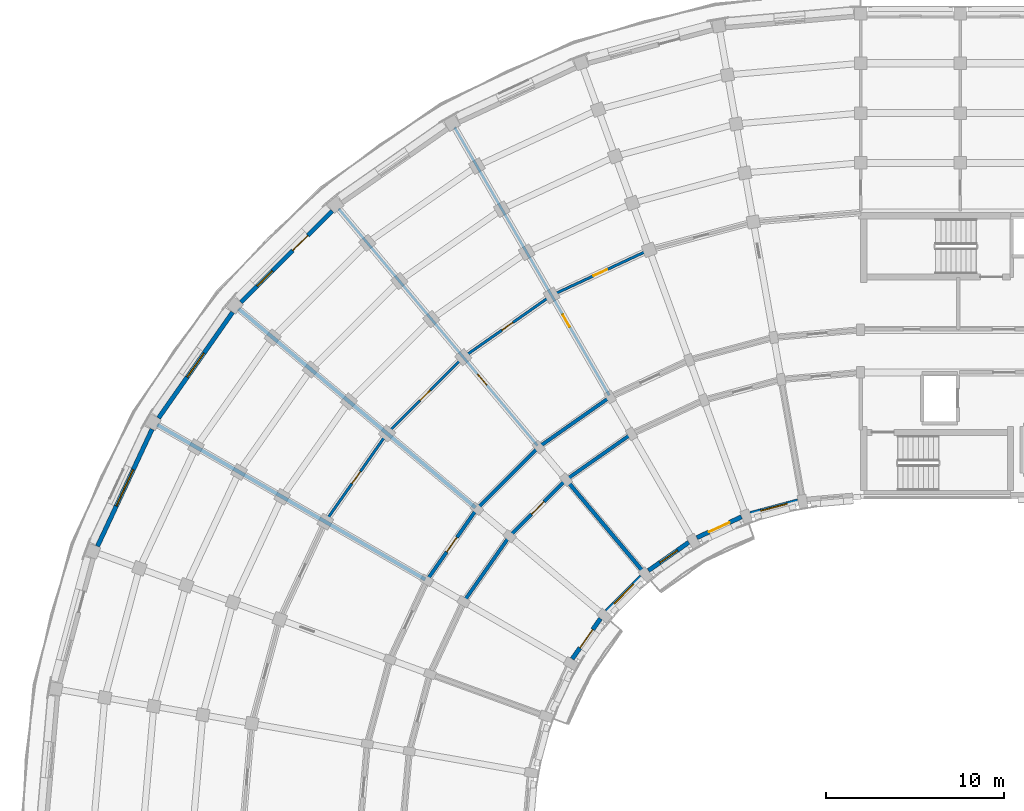
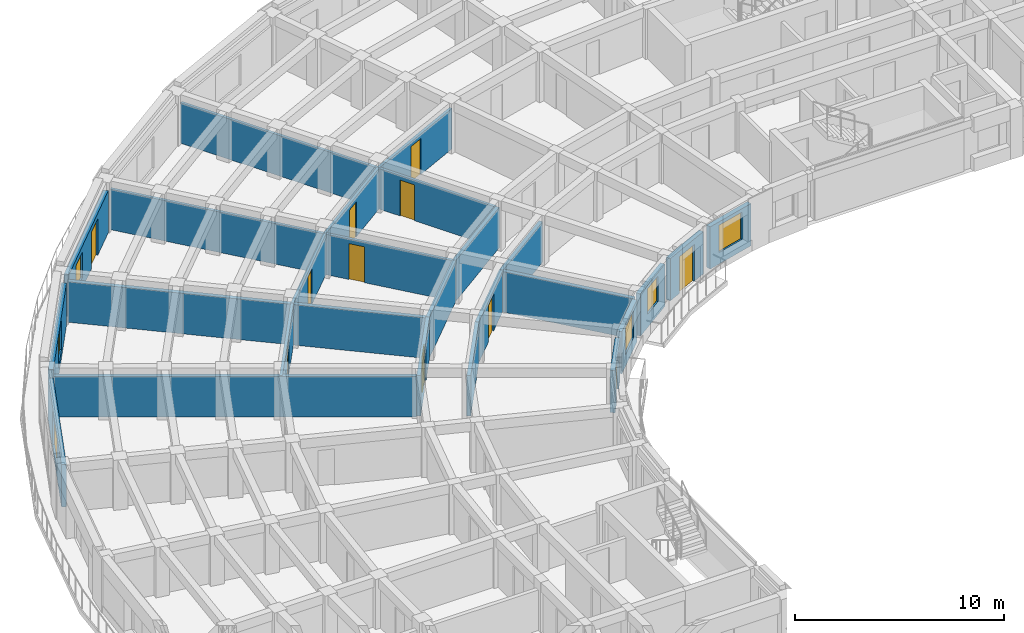
# One storey, part 25 of 54: 23 walls, 11 doors, 6 windows, 17 openings.
"""IFC4 building model written with IfcOpenShell, lengths in metres."""

import ifcopenshell
import ifcopenshell.guid

model = None  # the IFC model being written
_history = None  # IfcOwnerHistory: only IFC2X3 demands one
_inside = {}  # id of a spatial element -> (the spatial element, [elements in it])
_under = {}  # id of a project, library or spatial element -> (it, [spatial elements below it])
_declared = {}  # id of a project -> (the project, [libraries it declares])
_typed = {}  # id of a type object -> (the type object, [elements of that type])
_made_of = {}  # id of a material, layer set ... -> (it, [elements and type objects made of it])


def new_model(schema):
    """Start an empty IFC model of exactly this schema.

    Asked for "IFC4X3", IfcOpenShell would pick the latest addendum, in which some entities
    have other attributes; the version numbers below select the first issue.
    IFC2X3 requires an IfcOwnerHistory on every rooted entity: one is made here for all.
    """
    global model, _history
    if schema == "IFC4X3":
        model = ifcopenshell.file(schema_version=(4, 3, 0, 0))
    else:
        model = ifcopenshell.file(schema=schema)
    _inside.clear()
    _under.clear()
    _declared.clear()
    _typed.clear()
    _made_of.clear()
    _history = None
    if model.schema == "IFC2X3":
        org = make("IfcOrganization", Name="unknown")
        user = make(
            "IfcPersonAndOrganization",
            ThePerson=make("IfcPerson", FamilyName="unknown"),
            TheOrganization=org,
        )
        app = make(
            "IfcApplication",
            ApplicationDeveloper=org,
            Version="unknown",
            ApplicationFullName="unknown",
            ApplicationIdentifier="unknown",
        )
        _history = make(
            "IfcOwnerHistory",
            OwningUser=user,
            OwningApplication=app,
            ChangeAction="ADDED",
            CreationDate=0,
        )
    return model


def make(cls, **values):
    """One entity of the class cls with the attributes given. An attribute that is None is left unset."""
    return model.create_entity(
        cls, **{name: value for name, value in values.items() if value is not None}
    )


def rooted(cls, **values):
    """An entity with a GlobalId (a new one), such as an element, a storey or a relation."""
    return make(cls, GlobalId=ifcopenshell.guid.new(), OwnerHistory=_history, **values)


def si_unit(unit_type, name, prefix=None):
    """IfcSIUnit, for example si_unit("LENGTHUNIT", "METRE", prefix="MILLI")."""
    return make("IfcSIUnit", UnitType=unit_type, Prefix=prefix, Name=name)


def assignment(units):
    """IfcUnitAssignment: the units of a project."""
    return None if units is None else make("IfcUnitAssignment", Units=units)


def point(xyz):
    """IfcCartesianPoint."""
    return None if xyz is None else make("IfcCartesianPoint", Coordinates=xyz)


def direction(xyz):
    """IfcDirection."""
    return None if xyz is None else make("IfcDirection", DirectionRatios=xyz)


def frame(location, z_axis=None, x_axis=None):
    """IfcAxis2Placement3D, a coordinate frame: its origin and axes. An axis left out is left unset."""
    return make(
        "IfcAxis2Placement3D",
        Location=point(location),
        Axis=direction(z_axis),
        RefDirection=direction(x_axis),
    )


def frame_2d(location, x_axis=None):
    """IfcAxis2Placement2D, a coordinate frame in the plane: its origin and x axis."""
    return make(
        "IfcAxis2Placement2D", Location=point(location), RefDirection=direction(x_axis)
    )


def origin():
    """The frame at (0, 0, 0) with its axes left unset."""
    return frame((0.0, 0.0, 0.0))


def place(relative_to, where):
    """IfcLocalPlacement: puts the frame where relative to a parent placement (None: the world)."""
    return make(
        "IfcLocalPlacement", PlacementRelTo=relative_to, RelativePlacement=where
    )


def context(
    kind, dimensions, precision=None, world=None, true_north=None, identifier=None
):
    """IfcGeometricRepresentationContext, for example the 3D "Model" context."""
    return make(
        "IfcGeometricRepresentationContext",
        ContextIdentifier=identifier,
        ContextType=kind,
        CoordinateSpaceDimension=dimensions,
        Precision=precision,
        WorldCoordinateSystem=world,
        TrueNorth=true_north,
    )


def subcontext(parent, identifier, kind, view, scale=None):
    """IfcGeometricRepresentationSubContext, for example "Body" below "Model"."""
    return make(
        "IfcGeometricRepresentationSubContext",
        ContextIdentifier=identifier,
        ContextType=kind,
        ParentContext=parent,
        TargetScale=scale,
        TargetView=view,
    )


def project(units=None, contexts=None):
    """IfcProject with its units and contexts."""
    return rooted(
        "IfcProject",
        Name="project",
        RepresentationContexts=contexts,
        UnitsInContext=assignment(units),
    )


def spatial(cls, under=None, at=None, **own):
    """A site, building, storey or space (cls), placed at a placement, below another one or the project."""
    s = rooted(cls, ObjectPlacement=at, **own)
    if under is not None:
        _under.setdefault(under.id(), (under, []))[1].append(s)
    return s


def profile(cls, at=None, kind="AREA", **sizes):
    """A parametric profile (cls). Its sizes go by their IFC names, for example OverallWidth=200.0."""
    return make(cls, ProfileType=kind, Position=at, **sizes)


def rectangle(**sizes):
    """IfcRectangleProfileDef."""
    return profile("IfcRectangleProfileDef", **sizes)


def extrude(swept, where, along, depth):
    """IfcExtrudedAreaSolid: the profile swept, set in the frame where, extruded along a direction by depth."""
    return make(
        "IfcExtrudedAreaSolid",
        SweptArea=swept,
        Position=where,
        ExtrudedDirection=direction(along),
        Depth=depth,
    )


def shape(context_of_items, identifier, shape_type, items):
    """IfcShapeRepresentation: the items that make up one representation, for example the "Body"."""
    return make(
        "IfcShapeRepresentation",
        ContextOfItems=context_of_items,
        RepresentationIdentifier=identifier,
        RepresentationType=shape_type,
        Items=items,
    )


def material(Name=None, Category=None):
    """IfcMaterial."""
    return make("IfcMaterial", Name=Name, Category=Category)


def layer(
    of_material, thickness, ventilated=None, Name=None, Category=None, Priority=None
):
    """IfcMaterialLayer: one layer of a wall or slab, of a material (None: an air gap)."""
    return make(
        "IfcMaterialLayer",
        Material=of_material,
        LayerThickness=thickness,
        IsVentilated=ventilated,
        Name=Name,
        Category=Category,
        Priority=Priority,
    )


def layer_set(layers, Name=None):
    """IfcMaterialLayerSet."""
    return make("IfcMaterialLayerSet", MaterialLayers=layers, LayerSetName=Name)


def made_of(thing, what):
    """Note that an element or type object is made of a material, layer set ...; save() writes the relation."""
    if what is not None:
        _made_of.setdefault(what.id(), (what, []))[1].append(thing)
    return thing


def type_object(cls, material=None, **own):
    """A type object (cls), such as IfcWallType, which elements share."""
    return made_of(rooted(cls, **own), material)


def element(
    cls,
    number,
    at=None,
    inside=None,
    cuts=None,
    type_object=None,
    material=None,
    context=None,
    identifier="Body",
    shape_type=None,
    held_by="IfcProductDefinitionShape",
    body=None,
    shapes=None,
    **own,
):
    """One element of the class cls, such as IfcWall. Its Tag is "e" and its number.

    at: its placement. inside: the storey or other place that contains it. cuts: it is an
    opening in that element (IfcRelVoidsElement). A single representation is given by context,
    identifier, shape_type and body (its items); several are given by shapes. held_by: the class
    of the entity that holds the representations. save() writes the other relations.
    """
    e = rooted(cls, Tag="e%d" % number, ObjectPlacement=at, **own)
    if body is not None:
        shapes = [shape(context, identifier, shape_type, body)]
    if shapes is not None:
        e.Representation = make(held_by, Representations=shapes)
    if inside is not None:
        _inside.setdefault(inside.id(), (inside, []))[1].append(e)
    if cuts is not None:
        rooted(
            "IfcRelVoidsElement", RelatingBuildingElement=cuts, RelatedOpeningElement=e
        )
    if type_object is not None:
        _typed.setdefault(type_object.id(), (type_object, []))[1].append(e)
    return made_of(e, material)


def fill(opening, filler):
    """IfcRelFillsElement: the door or window that sits in an opening."""
    return rooted(
        "IfcRelFillsElement",
        RelatingOpeningElement=opening,
        RelatedBuildingElement=filler,
    )


def aggregate(whole, parts):
    """IfcRelAggregates: a whole, such as a stair, and the parts it consists of."""
    return rooted("IfcRelAggregates", RelatingObject=whole, RelatedObjects=parts)


def save(model, path):
    """Write the relations noted so far, then the file.

    IfcRelAggregates (storeys below a building ...), IfcRelContainedInSpatialStructure (elements
    in a storey), IfcRelDefinesByType, IfcRelAssociatesMaterial and IfcRelDeclares: one each for
    every whole, place, type object, material and project.
    """
    for whole, parts in _under.values():
        aggregate(whole, parts)
    for where, things in _inside.values():
        rooted(
            "IfcRelContainedInSpatialStructure",
            RelatedElements=things,
            RelatingStructure=where,
        )
    for kind, things in _typed.values():
        rooted("IfcRelDefinesByType", RelatedObjects=things, RelatingType=kind)
    for what, things in _made_of.values():
        rooted("IfcRelAssociatesMaterial", RelatedObjects=things, RelatingMaterial=what)
    for by, libraries in _declared.values():
        rooted("IfcRelDeclares", RelatingContext=by, RelatedDefinitions=libraries)
    model.write(path)


model = new_model("IFC4")

# Units and contexts
model_context = context("Model", 3, precision=1e-05, world=origin(), true_north=direction((0.0, 1.0)))
body_context = subcontext(model_context, "Body", "Model", "MODEL_VIEW")
ifc_project = project(units=[si_unit("LENGTHUNIT", "METRE"), si_unit("AREAUNIT", "SQUARE_METRE"), si_unit("VOLUMEUNIT", "CUBIC_METRE"), si_unit("PLANEANGLEUNIT", "RADIAN"), si_unit("MASSUNIT", "GRAM", prefix="KILO")], contexts=[model_context])

# Site, building, storey
site_placement = place(None, origin())
site = spatial("IfcSite", under=ifc_project, at=site_placement, CompositionType="ELEMENT")
building_placement = place(site_placement, origin())
building = spatial("IfcBuilding", under=site, at=building_placement, Name="Kiranvali Square Residences", CompositionType="ELEMENT")
storey_placement = place(building_placement, frame((0.0, 0.0, 27.60009765625)))
storey = spatial("IfcBuildingStorey", under=building, at=storey_placement, Name="L08", CompositionType="ELEMENT", Elevation=27.60009765625)

# Walls
ifc_material_1 = material(Name="Autoclaved aerated concrete blockwork masonry", Category="masonry")
ifc_layer_1 = layer(ifc_material_1, 0.199951171875)
ifc_layer_set_1 = layer_set([ifc_layer_1], Name="Autoclaved aerated concrete blockwork masonry")
wall_type_1 = type_object("IfcWallType", Name="WL-COR-200", PredefinedType="STANDARD", material=ifc_layer_set_1)
wall_1_placement = place(storey_placement, frame((35.300048828125, 110.1435546875, 0.0), z_axis=(0.0, 0.0, 1.0), x_axis=(-0.819155404658, -0.573571637217, 0.0)))
element("IfcWall", 1, at=wall_1_placement, inside=storey, type_object=wall_type_1, Name="L08 architectural wall WL-L08-A-CCI-3", PredefinedType="STANDARD", context=body_context, shape_type="SweptSolid", body=[
    extrude(rectangle(XDim=4.497314453125, YDim=0.199951171875, at=frame_2d((2.24853515625, 0.0))), origin(), (0.0, 0.0, 1.0), 2.371826171875),
])
wall_2_placement = place(storey_placement, frame((34.10009765625, 112.221923828125, 0.0), z_axis=(0.0, 0.0, 1.0), x_axis=(-0.819140911474, -0.573592335331, 0.0)))
element("IfcWall", 2, at=wall_2_placement, inside=storey, type_object=wall_type_1, Name="L08 architectural wall WL-L08-A-CCO-3", PredefinedType="STANDARD", context=body_context, shape_type="SweptSolid", body=[
    extrude(rectangle(XDim=4.915771484375, YDim=0.199951171875, at=frame_2d((2.4580078125, 0.0))), origin(), (0.0, 0.0, 1.0), 2.371826171875),
])

# Wall, opening, door
wall_3_placement = place(storey_placement, frame((31.615966796875, 107.56396484375, 0.0), z_axis=(0.0, 0.0, 1.0), x_axis=(-0.707106781187, -0.707106781187, 0.0)))
wall_3 = element("IfcWall", 3, at=wall_3_placement, inside=storey, type_object=wall_type_1, Name="L08 architectural wall WL-L08-A-CCI-4", PredefinedType="STANDARD", context=body_context, shape_type="SweptSolid", body=[
    extrude(rectangle(XDim=4.4970703125, YDim=0.199951171875, at=frame_2d((2.24853515625, 0.0))), origin(), (0.0, 0.0, 1.0), 2.371826171875),
])
opening_1_placement = place(wall_3_placement, frame((1.74853515625, 0.0, 0.0)))
opening_1 = element("IfcOpeningElement", 4, at=opening_1_placement, cuts=wall_3, Name="Opening FD-APT-60", PredefinedType="OPENING", context=body_context, shape_type="SweptSolid", body=[
    extrude(rectangle(XDim=1.0, YDim=2.14990234375, at=frame_2d((0.5, 1.074951171875))), frame((0.0, 0.10986328125, 0.0), z_axis=(0.0, -1.0, 0.0), x_axis=(1.0, 0.0, 0.0)), (0.0, 0.0, 1.0), 0.219970703125),
])
ifc_material_2 = material(Name="Fire-rated acoustic hardwood and mineral-core door assembly", Category="wood")
door_type_1 = type_object("IfcDoorType", Name="DR-APT-1000", OperationType="NOTDEFINED", PredefinedType="DOOR", material=ifc_material_2)
door_1_placement = place(opening_1_placement, origin())
door_1 = element("IfcDoor", 5, at=door_1_placement, inside=storey, type_object=door_type_1, Name="L08 door DR-L08-0559 (DR-APT-1000)", OperationType="SINGLE_SWING_LEFT", OverallHeight=2.14990234375, OverallWidth=1.0, PredefinedType="DOOR", context=body_context, shape_type="SweptSolid", body=[
    extrude(rectangle(XDim=1.0, YDim=2.14990234375, at=frame_2d((0.5, 1.074951171875))), frame((0.0, 0.02490234375, 0.0), z_axis=(0.0, -1.0, 0.0), x_axis=(1.0, 0.0, 0.0)), (0.0, 0.0, 1.0), 0.050048828125),
])
fill(opening_1, door_1)

# Walls
wall_4_placement = place(storey_placement, frame((30.073486328125, 109.40234375, 0.0), z_axis=(0.0, 0.0, 1.0), x_axis=(-0.707106781187, -0.707106781187, 0.0)))
element("IfcWall", 6, at=wall_4_placement, inside=storey, type_object=wall_type_1, Name="L08 architectural wall WL-L08-A-CCO-4", PredefinedType="STANDARD", context=body_context, shape_type="SweptSolid", body=[
    extrude(rectangle(XDim=4.91552734375, YDim=0.199951171875, at=frame_2d((2.457763671875, 0.0))), origin(), (0.0, 0.0, 1.0), 2.371826171875),
])
wall_5_placement = place(storey_placement, frame((28.43603515625, 104.384033203125, 0.0), z_axis=(0.0, 0.0, 1.0), x_axis=(-0.573571637217, -0.819155404658, 0.0)))
element("IfcWall", 7, at=wall_5_placement, inside=storey, type_object=wall_type_1, Name="L08 architectural wall WL-L08-A-CCI-5", PredefinedType="STANDARD", context=body_context, shape_type="SweptSolid", body=[
    extrude(rectangle(XDim=4.497314453125, YDim=0.199951171875, at=frame_2d((2.24853515625, 0.0))), origin(), (0.0, 0.0, 1.0), 2.371826171875),
])

# Wall, opening, door
wall_6_placement = place(storey_placement, frame((26.59765625, 105.926513671875, 0.0), z_axis=(0.0, 0.0, 1.0), x_axis=(-0.573592335331, -0.819140911474, 0.0)))
wall_6 = element("IfcWall", 8, at=wall_6_placement, inside=storey, type_object=wall_type_1, Name="L08 architectural wall WL-L08-A-CCO-5", PredefinedType="STANDARD", context=body_context, shape_type="SweptSolid", body=[
    extrude(rectangle(XDim=4.915771484375, YDim=0.199951171875, at=frame_2d((2.4580078125, 0.0))), origin(), (0.0, 0.0, 1.0), 2.371826171875),
])
opening_2_placement = place(wall_6_placement, frame((1.957763671875, 0.0, 0.0)))
opening_2 = element("IfcOpeningElement", 9, at=opening_2_placement, cuts=wall_6, Name="Opening FD-APT-60", PredefinedType="OPENING", context=body_context, shape_type="SweptSolid", body=[
    extrude(rectangle(XDim=1.0, YDim=2.14990234375, at=frame_2d((0.5, 1.074951171875))), frame((0.0, 0.10986328125, 0.0), z_axis=(0.0, -1.0, 0.0), x_axis=(1.0, 0.0, 0.0)), (0.0, 0.0, 1.0), 0.219970703125),
])
door_2_placement = place(opening_2_placement, frame((1.0, 0.0, 0.0), z_axis=(0.0, 0.0, 1.0), x_axis=(-1.0, 0.0, 0.0)))
door_2 = element("IfcDoor", 10, at=door_2_placement, inside=storey, type_object=door_type_1, Name="L08 door DR-L08-0550 (DR-APT-1000)", OperationType="SINGLE_SWING_RIGHT", OverallHeight=2.14990234375, OverallWidth=1.0, PredefinedType="DOOR", context=body_context, shape_type="SweptSolid", body=[
    extrude(rectangle(XDim=1.0, YDim=2.14990234375, at=frame_2d((0.5, 1.074951171875))), frame((0.0, 0.02490234375, 0.0), z_axis=(0.0, -1.0, 0.0), x_axis=(1.0, 0.0, 0.0)), (0.0, 0.0, 1.0), 0.050048828125),
])
fill(opening_2, door_2)

# Walls
ifc_layer_2 = layer(ifc_material_1, 0.219970703125)
ifc_layer_set_2 = layer_set([ifc_layer_2], Name="Autoclaved aerated concrete blockwork masonry")
wall_type_2 = type_object("IfcWallType", Name="WL-DEM-220", PredefinedType="STANDARD", material=ifc_layer_set_2)
wall_7_placement = place(storey_placement, frame((35.987060546875, 102.354736328125, 0.0), z_axis=(0.0, 0.0, 1.0), x_axis=(-0.642784846501, 0.766046761698, 0.0)))
element("IfcWall", 11, at=wall_7_placement, inside=storey, type_object=wall_type_2, Name="L08 architectural wall WL-L08-A-RADI-4", PredefinedType="STANDARD", context=body_context, shape_type="SweptSolid", body=[
    extrude(rectangle(XDim=6.75, YDim=0.219970703125, at=frame_2d((3.375, 0.0))), origin(), (0.0, 0.0, 1.0), 2.371826171875),
])
for number, where, z_axis, x_axis, name in (
    (12, (26.52099609375, 105.990966796875, 0.0), (0.0, 0.0, 1.0), (-0.766046835987, 0.642784757967, 0.0), "L08 architectural wall WL-L08-A-RADO-5"),
    (13, (23.69140625, 101.949951171875, 0.0), (0.0, 0.0, 1.0), (-0.866026648973, 0.499997843263, 0.0), "L08 architectural wall WL-L08-A-RADO-6"),
):
    element("IfcWall", number, at=place(storey_placement, frame(where, z_axis=z_axis, x_axis=x_axis)), inside=storey, type_object=wall_type_2, Name=name, PredefinedType="STANDARD", context=body_context, shape_type="SweptSolid", body=[
        extrude(rectangle(XDim=17.419921875, YDim=0.219970703125, at=frame_2d((8.7099609375, 0.0))), origin(), (0.0, 0.0, 1.0), 2.371826171875),
    ])

# Wall, openings, door, window
ifc_material_3 = material(Name="Breathable lime-rendered clay brick masonry", Category="masonry")
ifc_layer_3 = layer(ifc_material_3, 0.25)
ifc_layer_set_3 = layer_set([ifc_layer_3], Name="Breathable lime-rendered clay brick masonry")
wall_type_3 = type_object("IfcWallType", Name="WL-EXT-250", PredefinedType="STANDARD", material=ifc_layer_set_3)
wall_8_placement = place(storey_placement, frame((18.454345703125, 122.683837890625, 0.0), z_axis=(0.0, 0.0, 1.0), x_axis=(-0.707106781187, -0.707106781187, 0.0)))
wall_8 = element("IfcWall", 14, at=wall_8_placement, inside=storey, type_object=wall_type_3, Name="L08 exterior wall A-L08-CRV-04", PredefinedType="STANDARD", context=body_context, shape_type="SweptSolid", body=[
    extrude(rectangle(XDim=7.2666015625, YDim=0.25, at=frame_2d((3.63330078125, 0.0))), origin(), (0.0, 0.0, 1.0), 2.471923828125),
])
opening_3_placement = place(wall_8_placement, frame((4.765625, 0.0, 0.6220703125)))
opening_3 = element("IfcOpeningElement", 15, at=opening_3_placement, cuts=wall_8, Name="Opening W-06", PredefinedType="OPENING", context=body_context, shape_type="SweptSolid", body=[
    extrude(rectangle(XDim=1.199951171875, YDim=1.5, at=frame_2d((0.60009765625, 0.75))), frame((0.0, 0.135009765625, 0.0), z_axis=(0.0, -1.0, 0.0), x_axis=(1.0, 0.0, 0.0)), (0.0, 0.0, 1.0), 0.27001953125),
])
opening_4_placement = place(wall_8_placement, frame((1.943359375, 0.0, 0.0)))
opening_4 = element("IfcOpeningElement", 16, at=opening_4_placement, cuts=wall_8, Name="Opening ED-BAL-1", PredefinedType="OPENING", context=body_context, shape_type="SweptSolid", body=[
    extrude(rectangle(XDim=1.199951171875, YDim=2.14990234375, at=frame_2d((0.60009765625, 1.074951171875))), frame((0.0, 0.135009765625, 0.0), z_axis=(0.0, -1.0, 0.0), x_axis=(1.0, 0.0, 0.0)), (0.0, 0.0, 1.0), 0.27001953125),
])
ifc_material_4 = material(Name="Anodised bronze aluminium framing", Category="aluminium")
door_type_2 = type_object("IfcDoorType", Name="DR-BAL-1200", OperationType="NOTDEFINED", PredefinedType="DOOR", material=ifc_material_4)
door_3_placement = place(opening_4_placement, frame((1.199951171875, 0.0, 0.0), z_axis=(0.0, 0.0, 1.0), x_axis=(-1.0, 0.0, 0.0)))
door_3 = element("IfcDoor", 17, at=door_3_placement, inside=storey, type_object=door_type_2, Name="L08 balcony terrace door", OperationType="SINGLE_SWING_RIGHT", OverallHeight=2.14990234375, OverallWidth=1.199951171875, PredefinedType="DOOR", context=body_context, shape_type="SweptSolid", body=[
    extrude(rectangle(XDim=1.199951171875, YDim=2.14990234375, at=frame_2d((0.60009765625, 1.074951171875))), frame((0.0, 0.02490234375, 0.0), z_axis=(0.0, -1.0, 0.0), x_axis=(1.0, 0.0, 0.0)), (0.0, 0.0, 1.0), 0.050048828125),
])
fill(opening_4, door_3)
ifc_material_5 = material(Name="Solar-control low-e double glazing", Category="glass")
window_type_1 = type_object("IfcWindowType", Name="WIN-RES-1200x1500", PartitioningType="SINGLE_PANEL", PredefinedType="WINDOW", material=ifc_material_5)
window_1_placement = place(opening_3_placement, origin())
window_1 = element("IfcWindow", 18, at=window_1_placement, inside=storey, type_object=window_type_1, Name="L08 recessed window A-L08-CRV-04", OverallHeight=1.5, OverallWidth=1.199951171875, PartitioningType="SINGLE_PANEL", PredefinedType="WINDOW", context=body_context, shape_type="SweptSolid", body=[
    extrude(rectangle(XDim=1.199951171875, YDim=1.5, at=frame_2d((0.60009765625, 0.75))), frame((0.0, 0.030029296875, 0.0), z_axis=(0.0, -1.0, 0.0), x_axis=(1.0, 0.0, 0.0)), (0.0, 0.0, 1.0), 0.06005859375),
])
fill(opening_3, window_1)

# Wall, opening, window
wall_9_placement = place(storey_placement, frame((12.848876953125, 116.98876953125, 0.0), z_axis=(0.0, 0.0, 1.0), x_axis=(-0.573566061701, -0.819159308599, 0.0)))
wall_9 = element("IfcWall", 19, at=wall_9_placement, inside=storey, type_object=wall_type_3, Name="L08 exterior wall A-L08-CRV-05", PredefinedType="STANDARD", context=body_context, shape_type="SweptSolid", body=[
    extrude(rectangle(XDim=7.266845703125, YDim=0.25, at=frame_2d((3.63330078125, 0.0))), origin(), (0.0, 0.0, 1.0), 2.471923828125),
])
opening_5_placement = place(wall_9_placement, frame((2.808349609375, 0.0, 0.52197265625)))
opening_5 = element("IfcOpeningElement", 20, at=opening_5_placement, cuts=wall_9, Name="Opening W-13", PredefinedType="OPENING", context=body_context, shape_type="SweptSolid", body=[
    extrude(rectangle(XDim=1.64990234375, YDim=1.75, at=frame_2d((0.824951171875, 0.875))), frame((0.0, 0.135009765625, 0.0), z_axis=(0.0, -1.0, 0.0), x_axis=(1.0, 0.0, 0.0)), (0.0, 0.0, 1.0), 0.27001953125),
])
window_type_2 = type_object("IfcWindowType", Name="WIN-RES-1650x1750", PartitioningType="DOUBLE_PANEL_VERTICAL", PredefinedType="WINDOW", material=ifc_material_5)
window_2_placement = place(opening_5_placement, origin())
window_2 = element("IfcWindow", 21, at=window_2_placement, inside=storey, type_object=window_type_2, Name="L08 recessed window A-L08-CRV-05", OverallHeight=1.75, OverallWidth=1.64990234375, PartitioningType="DOUBLE_PANEL_VERTICAL", PredefinedType="WINDOW", context=body_context, shape_type="SweptSolid", body=[
    extrude(rectangle(XDim=1.64990234375, YDim=1.75, at=frame_2d((0.824951171875, 0.875))), frame((0.0, 0.030029296875, 0.0), z_axis=(0.0, -1.0, 0.0), x_axis=(1.0, 0.0, 0.0)), (0.0, 0.0, 1.0), 0.06005859375),
])
fill(opening_5, window_2)

wall_10_placement = place(storey_placement, frame((8.3173828125, 110.406494140625, 0.0), z_axis=(0.0, 0.0, 1.0), x_axis=(-0.422627946127, -0.90630327107, 0.0)))
wall_10 = element("IfcWall", 22, at=wall_10_placement, inside=storey, type_object=wall_type_3, Name="L08 exterior wall A-L08-CRV-06", PredefinedType="STANDARD", context=body_context, shape_type="SweptSolid", body=[
    extrude(rectangle(XDim=7.2666015625, YDim=0.25, at=frame_2d((3.63330078125, 0.0))), origin(), (0.0, 0.0, 1.0), 2.471923828125),
])
opening_6_placement = place(wall_10_placement, frame((2.50830078125, 0.0, 0.322021484375)))
opening_6 = element("IfcOpeningElement", 23, at=opening_6_placement, cuts=wall_10, Name="Opening W-11", PredefinedType="OPENING", context=body_context, shape_type="SweptSolid", body=[
    extrude(rectangle(XDim=2.25, YDim=1.949951171875, at=frame_2d((1.125, 0.97509765625))), frame((0.0, 0.135009765625, 0.0), z_axis=(0.0, -1.0, 0.0), x_axis=(1.0, 0.0, 0.0)), (0.0, 0.0, 1.0), 0.27001953125),
])
window_type_3 = type_object("IfcWindowType", Name="WIN-RES-2250x1950", PartitioningType="TRIPLE_PANEL_VERTICAL", PredefinedType="WINDOW", material=ifc_material_5)
window_3_placement = place(opening_6_placement, origin())
window_3 = element("IfcWindow", 24, at=window_3_placement, inside=storey, type_object=window_type_3, Name="L08 recessed window A-L08-CRV-06", OverallHeight=1.949951171875, OverallWidth=2.25, PartitioningType="TRIPLE_PANEL_VERTICAL", PredefinedType="WINDOW", context=body_context, shape_type="SweptSolid", body=[
    extrude(rectangle(XDim=2.25, YDim=1.949951171875, at=frame_2d((1.125, 0.97509765625))), frame((0.0, 0.030029296875, 0.0), z_axis=(0.0, -1.0, 0.0), x_axis=(1.0, 0.0, 0.0)), (0.0, 0.0, 1.0), 0.06005859375),
])
fill(opening_6, window_3)

wall_11_placement = place(storey_placement, frame((44.658203125, 106.369384765625, 0.0), z_axis=(0.0, 0.0, 1.0), x_axis=(-0.965935855992, -0.25878161084, 0.0)))
wall_11 = element("IfcWall", 25, at=wall_11_placement, inside=storey, type_object=wall_type_3, Name="L08 exterior wall A-L08-GDN-01", PredefinedType="STANDARD", context=body_context, shape_type="SweptSolid", body=[
    extrude(rectangle(XDim=2.769775390625, YDim=0.25, at=frame_2d((1.384765625, 0.0))), origin(), (0.0, 0.0, 1.0), 2.471923828125),
])
opening_7_placement = place(wall_11_placement, frame((0.60986328125, 0.0, 0.672119140625)))
opening_7 = element("IfcOpeningElement", 26, at=opening_7_placement, cuts=wall_11, Name="Opening W-18", PredefinedType="OPENING", context=body_context, shape_type="SweptSolid", body=[
    extrude(rectangle(XDim=1.550048828125, YDim=1.60009765625, at=frame_2d((0.77490234375, 0.800048828125))), frame((0.0, 0.135009765625, 0.0), z_axis=(0.0, -1.0, 0.0), x_axis=(1.0, 0.0, 0.0)), (0.0, 0.0, 1.0), 0.27001953125),
])
window_type_4 = type_object("IfcWindowType", Name="WIN-GDN-1550x1600", PartitioningType="DOUBLE_PANEL_VERTICAL", PredefinedType="WINDOW", material=ifc_material_5)
window_4_placement = place(opening_7_placement, origin())
window_4 = element("IfcWindow", 27, at=window_4_placement, inside=storey, type_object=window_type_4, Name="L08 recessed window A-L08-GDN-01", OverallHeight=1.60009765625, OverallWidth=1.550048828125, PartitioningType="DOUBLE_PANEL_VERTICAL", PredefinedType="WINDOW", context=body_context, shape_type="SweptSolid", body=[
    extrude(rectangle(XDim=1.550048828125, YDim=1.60009765625, at=frame_2d((0.77490234375, 0.800048828125))), frame((0.0, 0.030029296875, 0.0), z_axis=(0.0, -1.0, 0.0), x_axis=(1.0, 0.0, 0.0)), (0.0, 0.0, 1.0), 0.06005859375),
])
fill(opening_7, window_4)

# Wall, opening, door
wall_12_placement = place(storey_placement, frame((41.4873046875, 105.472412109375, 0.0), z_axis=(0.0, 0.0, 1.0), x_axis=(-0.906293449611, -0.422649007088, 0.0)))
wall_12 = element("IfcWall", 28, at=wall_12_placement, inside=storey, type_object=wall_type_3, Name="L08 exterior wall A-L08-GDN-02", PredefinedType="STANDARD", context=body_context, shape_type="SweptSolid", body=[
    extrude(rectangle(XDim=2.769775390625, YDim=0.25, at=frame_2d((1.384765625, 0.0))), origin(), (0.0, 0.0, 1.0), 2.471923828125),
])
opening_8_placement = place(wall_12_placement, frame((0.7548828125, 0.0, 0.0)))
opening_8 = element("IfcOpeningElement", 29, at=opening_8_placement, cuts=wall_12, Name="Opening ED-BAL-2", PredefinedType="OPENING", context=body_context, shape_type="SweptSolid", body=[
    extrude(rectangle(XDim=1.260009765625, YDim=2.14990234375, at=frame_2d((0.6298828125, 1.074951171875))), frame((0.0, 0.135009765625, 0.0), z_axis=(0.0, -1.0, 0.0), x_axis=(1.0, 0.0, 0.0)), (0.0, 0.0, 1.0), 0.27001953125),
])
door_type_3 = type_object("IfcDoorType", Name="DR-BAL-1260", OperationType="NOTDEFINED", PredefinedType="DOOR", material=ifc_material_4)
door_4_placement = place(opening_8_placement, origin())
door_4 = element("IfcDoor", 30, at=door_4_placement, inside=storey, type_object=door_type_3, Name="L08 balcony terrace door", OperationType="SINGLE_SWING_RIGHT", OverallHeight=2.14990234375, OverallWidth=1.260009765625, PredefinedType="DOOR", context=body_context, shape_type="SweptSolid", body=[
    extrude(rectangle(XDim=1.260009765625, YDim=2.14990234375, at=frame_2d((0.6298828125, 1.074951171875))), frame((0.0, 0.02490234375, 0.0), z_axis=(0.0, -1.0, 0.0), x_axis=(1.0, 0.0, 0.0)), (0.0, 0.0, 1.0), 0.050048828125),
])
fill(opening_8, door_4)

# Wall, opening, window
wall_13_placement = place(storey_placement, frame((38.5205078125, 104.038330078125, 0.0), z_axis=(0.0, 0.0, 1.0), x_axis=(-0.819111815273, -0.573633885053, 0.0)))
wall_13 = element("IfcWall", 31, at=wall_13_placement, inside=storey, type_object=wall_type_3, Name="L08 exterior wall A-L08-GDN-03", PredefinedType="STANDARD", context=body_context, shape_type="SweptSolid", body=[
    extrude(rectangle(XDim=2.769775390625, YDim=0.25, at=frame_2d((1.384765625, 0.0))), origin(), (0.0, 0.0, 1.0), 2.471923828125),
])
opening_9_placement = place(wall_13_placement, frame((0.784912109375, 0.0, 0.77197265625)))
opening_9 = element("IfcOpeningElement", 32, at=opening_9_placement, cuts=wall_13, Name="Opening W-06", PredefinedType="OPENING", context=body_context, shape_type="SweptSolid", body=[
    extrude(rectangle(XDim=1.199951171875, YDim=1.5, at=frame_2d((0.60009765625, 0.75))), frame((0.0, 0.135009765625, 0.0), z_axis=(0.0, -1.0, 0.0), x_axis=(1.0, 0.0, 0.0)), (0.0, 0.0, 1.0), 0.27001953125),
])
window_5_placement = place(opening_9_placement, origin())
window_5 = element("IfcWindow", 33, at=window_5_placement, inside=storey, type_object=window_type_1, Name="L08 recessed window A-L08-GDN-03", OverallHeight=1.5, OverallWidth=1.199951171875, PartitioningType="SINGLE_PANEL", PredefinedType="WINDOW", context=body_context, shape_type="SweptSolid", body=[
    extrude(rectangle(XDim=1.199951171875, YDim=1.5, at=frame_2d((0.60009765625, 0.75))), frame((0.0, 0.030029296875, 0.0), z_axis=(0.0, -1.0, 0.0), x_axis=(1.0, 0.0, 0.0)), (0.0, 0.0, 1.0), 0.06005859375),
])
fill(opening_9, window_5)

wall_14_placement = place(storey_placement, frame((35.847900390625, 102.11083984375, 0.0), z_axis=(0.0, 0.0, 1.0), x_axis=(-0.707106781187, -0.707106781187, 0.0)))
wall_14 = element("IfcWall", 34, at=wall_14_placement, inside=storey, type_object=wall_type_3, Name="L08 exterior wall A-L08-GDN-04", PredefinedType="STANDARD", context=body_context, shape_type="SweptSolid", body=[
    extrude(rectangle(XDim=2.77001953125, YDim=0.25, at=frame_2d((1.385009765625, 0.0))), origin(), (0.0, 0.0, 1.0), 2.471923828125),
])
opening_10_placement = place(wall_14_placement, frame((0.60986328125, 0.0, 0.672119140625)))
opening_10 = element("IfcOpeningElement", 35, at=opening_10_placement, cuts=wall_14, Name="Opening W-18", PredefinedType="OPENING", context=body_context, shape_type="SweptSolid", body=[
    extrude(rectangle(XDim=1.550048828125, YDim=1.60009765625, at=frame_2d((0.77490234375, 0.800048828125))), frame((0.0, 0.135009765625, 0.0), z_axis=(0.0, -1.0, 0.0), x_axis=(1.0, 0.0, 0.0)), (0.0, 0.0, 1.0), 0.27001953125),
])
window_6_placement = place(opening_10_placement, origin())
window_6 = element("IfcWindow", 36, at=window_6_placement, inside=storey, type_object=window_type_4, Name="L08 recessed window A-L08-GDN-04", OverallHeight=1.60009765625, OverallWidth=1.550048828125, PartitioningType="DOUBLE_PANEL_VERTICAL", PredefinedType="WINDOW", context=body_context, shape_type="SweptSolid", body=[
    extrude(rectangle(XDim=1.550048828125, YDim=1.60009765625, at=frame_2d((0.77490234375, 0.800048828125))), frame((0.0, 0.030029296875, 0.0), z_axis=(0.0, -1.0, 0.0), x_axis=(1.0, 0.0, 0.0)), (0.0, 0.0, 1.0), 0.06005859375),
])
fill(opening_10, window_6)

# Wall, opening, door
wall_15_placement = place(storey_placement, frame((33.550537109375, 99.748291015625, 0.0), z_axis=(0.0, 0.0, 1.0), x_axis=(-0.573633885053, -0.819111815273, 0.0)))
wall_15 = element("IfcWall", 37, at=wall_15_placement, inside=storey, type_object=wall_type_3, Name="L08 exterior wall A-L08-GDN-05", PredefinedType="STANDARD", context=body_context, shape_type="SweptSolid", body=[
    extrude(rectangle(XDim=2.769775390625, YDim=0.25, at=frame_2d((1.384765625, 0.0))), origin(), (0.0, 0.0, 1.0), 2.471923828125),
])
opening_11_placement = place(wall_15_placement, frame((0.7548828125, 0.0, 0.0)))
opening_11 = element("IfcOpeningElement", 38, at=opening_11_placement, cuts=wall_15, Name="Opening ED-BAL-2", PredefinedType="OPENING", context=body_context, shape_type="SweptSolid", body=[
    extrude(rectangle(XDim=1.260009765625, YDim=2.14990234375, at=frame_2d((0.6298828125, 1.074951171875))), frame((0.0, 0.135009765625, 0.0), z_axis=(0.0, -1.0, 0.0), x_axis=(1.0, 0.0, 0.0)), (0.0, 0.0, 1.0), 0.27001953125),
])
door_5_placement = place(opening_11_placement, origin())
door_5 = element("IfcDoor", 39, at=door_5_placement, inside=storey, type_object=door_type_3, Name="L08 balcony terrace door", OperationType="SINGLE_SWING_LEFT", OverallHeight=2.14990234375, OverallWidth=1.260009765625, PredefinedType="DOOR", context=body_context, shape_type="SweptSolid", body=[
    extrude(rectangle(XDim=1.260009765625, YDim=2.14990234375, at=frame_2d((0.6298828125, 1.074951171875))), frame((0.0, 0.02490234375, 0.0), z_axis=(0.0, -1.0, 0.0), x_axis=(1.0, 0.0, 0.0)), (0.0, 0.0, 1.0), 0.050048828125),
])
fill(opening_11, door_5)

ifc_material_6 = material(Name="Acoustic gypsum board drylined partition", Category="gypsum")
ifc_layer_4 = layer(ifc_material_6, 0.14990234375)
ifc_layer_set_4 = layer_set([ifc_layer_4], Name="Acoustic gypsum board drylined partition")
wall_type_4 = type_object("IfcWallType", Name="WL-PRT-150", PredefinedType="PARTITIONING", material=ifc_layer_set_4)
wall_16_placement = place(storey_placement, frame((34.050048828125, 112.30859375, 0.0), z_axis=(0.0, 0.0, 1.0), x_axis=(-0.499997843263, 0.866026648973, 0.0)))
wall_16 = element("IfcWall", 40, at=wall_16_placement, inside=storey, type_object=wall_type_4, Name="L08 architectural wall WL-L08-A-RADO-3", PredefinedType="PARTITIONING", context=body_context, shape_type="SweptSolid", body=[
    extrude(rectangle(XDim=17.419921875, YDim=0.14990234375, at=frame_2d((8.7099609375, 0.0))), origin(), (0.0, 0.0, 1.0), 2.371826171875),
])
opening_12_placement = place(wall_16_placement, frame((4.44970703125, 0.0, 0.0)))
opening_12 = element("IfcOpeningElement", 41, at=opening_12_placement, cuts=wall_16, Name="Opening ID-WET", PredefinedType="OPENING", context=body_context, shape_type="SweptSolid", body=[
    extrude(rectangle(XDim=0.800048828125, YDim=2.10009765625, at=frame_2d((0.39990234375, 1.050048828125))), frame((0.0, 0.0849609375, 0.0), z_axis=(0.0, -1.0, 0.0), x_axis=(1.0, 0.0, 0.0)), (0.0, 0.0, 1.0), 0.169921875),
])
ifc_material_7 = material(Name="Solid seasoned teak hardwood joinery", Category="wood")
door_type_4 = type_object("IfcDoorType", Name="DR-WET-800", OperationType="NOTDEFINED", PredefinedType="DOOR", material=ifc_material_7)
door_6_placement = place(opening_12_placement, frame((0.800048828125, 0.0, 0.0), z_axis=(0.0, 0.0, 1.0), x_axis=(-1.0, 0.0, 0.0)))
door_6 = element("IfcDoor", 42, at=door_6_placement, inside=storey, type_object=door_type_4, Name="L08 door DR-L08-0540 (DR-WET-800)", OperationType="SINGLE_SWING_RIGHT", OverallHeight=2.10009765625, OverallWidth=0.800048828125, PredefinedType="DOOR", context=body_context, shape_type="SweptSolid", body=[
    extrude(rectangle(XDim=0.800048828125, YDim=2.10009765625, at=frame_2d((0.39990234375, 1.050048828125))), frame((0.0, 0.02490234375, 0.0), z_axis=(0.0, -1.0, 0.0), x_axis=(1.0, 0.0, 0.0)), (0.0, 0.0, 1.0), 0.050048828125),
])
fill(opening_12, door_6)

wall_17_placement = place(storey_placement, frame((30.009033203125, 109.47900390625, 0.0), z_axis=(0.0, 0.0, 1.0), x_axis=(-0.642784757967, 0.766046835987, 0.0)))
wall_17 = element("IfcWall", 43, at=wall_17_placement, inside=storey, type_object=wall_type_4, Name="L08 architectural wall WL-L08-A-RADO-4", PredefinedType="PARTITIONING", context=body_context, shape_type="SweptSolid", body=[
    extrude(rectangle(XDim=17.419921875, YDim=0.14990234375, at=frame_2d((8.7099609375, 0.0))), origin(), (0.0, 0.0, 1.0), 2.371826171875),
])
opening_13_placement = place(wall_17_placement, frame((4.44970703125, 0.0, 0.0)))
opening_13 = element("IfcOpeningElement", 44, at=opening_13_placement, cuts=wall_17, Name="Opening ID-WET", PredefinedType="OPENING", context=body_context, shape_type="SweptSolid", body=[
    extrude(rectangle(XDim=0.800048828125, YDim=2.10009765625, at=frame_2d((0.39990234375, 1.050048828125))), frame((0.0, 0.0849609375, 0.0), z_axis=(0.0, -1.0, 0.0), x_axis=(1.0, 0.0, 0.0)), (0.0, 0.0, 1.0), 0.169921875),
])
door_7_placement = place(opening_13_placement, origin())
door_7 = element("IfcDoor", 45, at=door_7_placement, inside=storey, type_object=door_type_4, Name="L08 door DR-L08-0541 (DR-WET-800)", OperationType="SINGLE_SWING_LEFT", OverallHeight=2.10009765625, OverallWidth=0.800048828125, PredefinedType="DOOR", context=body_context, shape_type="SweptSolid", body=[
    extrude(rectangle(XDim=0.800048828125, YDim=2.10009765625, at=frame_2d((0.39990234375, 1.050048828125))), frame((0.0, 0.02490234375, 0.0), z_axis=(0.0, -1.0, 0.0), x_axis=(1.0, 0.0, 0.0)), (0.0, 0.0, 1.0), 0.050048828125),
])
fill(opening_13, door_7)

ifc_layer_5 = layer(ifc_material_1, 0.14990234375)
ifc_layer_set_5 = layer_set([ifc_layer_5], Name="Autoclaved aerated concrete blockwork masonry")
wall_type_5 = type_object("IfcWallType", Name="WL-WET-150", PredefinedType="PLUMBINGWALL", material=ifc_layer_set_5)
wall_18_placement = place(storey_placement, frame((36.297607421875, 120.501220703125, 0.0), z_axis=(0.0, 0.0, 1.0), x_axis=(-0.906312656069, -0.42260781991, 0.0)))
wall_18 = element("IfcWall", 46, at=wall_18_placement, inside=storey, type_object=wall_type_5, Name="L08 architectural wall WL-L08-A-CWET-2", PredefinedType="PLUMBINGWALL", context=body_context, shape_type="SweptSolid", body=[
    extrude(rectangle(XDim=6.06591796875, YDim=0.14990234375, at=frame_2d((3.032958984375, 0.0))), origin(), (0.0, 0.0, 1.0), 2.371826171875),
])
opening_14_placement = place(wall_18_placement, frame((2.613037109375, 0.0, 0.0)))
opening_14 = element("IfcOpeningElement", 47, at=opening_14_placement, cuts=wall_18, Name="Opening ID-WET2", PredefinedType="OPENING", context=body_context, shape_type="SweptSolid", body=[
    extrude(rectangle(XDim=0.840087890625, YDim=2.10009765625, at=frame_2d((0.419921875, 1.050048828125))), frame((0.0, 0.0849609375, 0.0), z_axis=(0.0, -1.0, 0.0), x_axis=(1.0, 0.0, 0.0)), (0.0, 0.0, 1.0), 0.169921875),
])
door_type_5 = type_object("IfcDoorType", Name="DR-WET-840", OperationType="NOTDEFINED", PredefinedType="DOOR", material=ifc_material_7)
door_8_placement = place(opening_14_placement, origin())
door_8 = element("IfcDoor", 48, at=door_8_placement, inside=storey, type_object=door_type_5, Name="L08 door DR-L08-0547 (DR-WET-840)", OperationType="SINGLE_SWING_LEFT", OverallHeight=2.10009765625, OverallWidth=0.840087890625, PredefinedType="DOOR", context=body_context, shape_type="SweptSolid", body=[
    extrude(rectangle(XDim=0.840087890625, YDim=2.10009765625, at=frame_2d((0.419921875, 1.050048828125))), frame((0.0, 0.02490234375, 0.0), z_axis=(0.0, -1.0, 0.0), x_axis=(1.0, 0.0, 0.0)), (0.0, 0.0, 1.0), 0.050048828125),
])
fill(opening_14, door_8)

wall_19_placement = place(storey_placement, frame((30.800048828125, 117.937744140625, 0.0), z_axis=(0.0, 0.0, 1.0), x_axis=(-0.81913926159, -0.573594691504, 0.0)))
wall_19 = element("IfcWall", 49, at=wall_19_placement, inside=storey, type_object=wall_type_5, Name="L08 architectural wall WL-L08-A-CWET-3", PredefinedType="PLUMBINGWALL", context=body_context, shape_type="SweptSolid", body=[
    extrude(rectangle(XDim=6.066162109375, YDim=0.14990234375, at=frame_2d((3.033203125, 0.0))), origin(), (0.0, 0.0, 1.0), 2.371826171875),
])
opening_15_placement = place(wall_19_placement, frame((2.653076171875, 0.0, 0.0)))
opening_15 = element("IfcOpeningElement", 50, at=opening_15_placement, cuts=wall_19, Name="Opening ID-WET0", PredefinedType="OPENING", context=body_context, shape_type="SweptSolid", body=[
    extrude(rectangle(XDim=0.760009765625, YDim=2.050048828125, at=frame_2d((0.3798828125, 1.02490234375))), frame((0.0, 0.0849609375, 0.0), z_axis=(0.0, -1.0, 0.0), x_axis=(1.0, 0.0, 0.0)), (0.0, 0.0, 1.0), 0.169921875),
])
door_type_6 = type_object("IfcDoorType", Name="DR-WET-760", OperationType="NOTDEFINED", PredefinedType="DOOR", material=ifc_material_7)
door_9_placement = place(opening_15_placement, frame((0.760009765625, 0.0, 0.0), z_axis=(0.0, 0.0, 1.0), x_axis=(-1.0, 0.0, 0.0)))
door_9 = element("IfcDoor", 51, at=door_9_placement, inside=storey, type_object=door_type_6, Name="L08 door DR-L08-0548 (DR-WET-760)", OperationType="SINGLE_SWING_RIGHT", OverallHeight=2.050048828125, OverallWidth=0.760009765625, PredefinedType="DOOR", context=body_context, shape_type="SweptSolid", body=[
    extrude(rectangle(XDim=0.760009765625, YDim=2.050048828125, at=frame_2d((0.3798828125, 1.02490234375))), frame((0.0, 0.02490234375, 0.0), z_axis=(0.0, -1.0, 0.0), x_axis=(1.0, 0.0, 0.0)), (0.0, 0.0, 1.0), 0.050048828125),
])
fill(opening_15, door_9)

wall_20_placement = place(storey_placement, frame((25.8310546875, 114.458251953125, 0.0), z_axis=(0.0, 0.0, 1.0), x_axis=(-0.707106781187, -0.707106781187, 0.0)))
wall_20 = element("IfcWall", 52, at=wall_20_placement, inside=storey, type_object=wall_type_5, Name="L08 architectural wall WL-L08-A-CWET-4", PredefinedType="PLUMBINGWALL", context=body_context, shape_type="SweptSolid", body=[
    extrude(rectangle(XDim=6.06591796875, YDim=0.14990234375, at=frame_2d((3.032958984375, 0.0))), origin(), (0.0, 0.0, 1.0), 2.371826171875),
])
opening_16_placement = place(wall_20_placement, frame((2.633056640625, 0.0, 0.0)))
opening_16 = element("IfcOpeningElement", 53, at=opening_16_placement, cuts=wall_20, Name="Opening ID-WET", PredefinedType="OPENING", context=body_context, shape_type="SweptSolid", body=[
    extrude(rectangle(XDim=0.800048828125, YDim=2.10009765625, at=frame_2d((0.39990234375, 1.050048828125))), frame((0.0, 0.0849609375, 0.0), z_axis=(0.0, -1.0, 0.0), x_axis=(1.0, 0.0, 0.0)), (0.0, 0.0, 1.0), 0.169921875),
])
door_10_placement = place(opening_16_placement, origin())
door_10 = element("IfcDoor", 54, at=door_10_placement, inside=storey, type_object=door_type_4, Name="L08 door DR-L08-0549 (DR-WET-800)", OperationType="SINGLE_SWING_LEFT", OverallHeight=2.10009765625, OverallWidth=0.800048828125, PredefinedType="DOOR", context=body_context, shape_type="SweptSolid", body=[
    extrude(rectangle(XDim=0.800048828125, YDim=2.10009765625, at=frame_2d((0.39990234375, 1.050048828125))), frame((0.0, 0.02490234375, 0.0), z_axis=(0.0, -1.0, 0.0), x_axis=(1.0, 0.0, 0.0)), (0.0, 0.0, 1.0), 0.050048828125),
])
fill(opening_16, door_10)

wall_21_placement = place(storey_placement, frame((21.541748046875, 110.1689453125, 0.0), z_axis=(0.0, 0.0, 1.0), x_axis=(-0.573594691504, -0.81913926159, 0.0)))
wall_21 = element("IfcWall", 55, at=wall_21_placement, inside=storey, type_object=wall_type_5, Name="L08 architectural wall WL-L08-A-CWET-5", PredefinedType="PLUMBINGWALL", context=body_context, shape_type="SweptSolid", body=[
    extrude(rectangle(XDim=6.066162109375, YDim=0.14990234375, at=frame_2d((3.033203125, 0.0))), origin(), (0.0, 0.0, 1.0), 2.371826171875),
])
opening_17_placement = place(wall_21_placement, frame((2.613037109375, 0.0, 0.0)))
opening_17 = element("IfcOpeningElement", 56, at=opening_17_placement, cuts=wall_21, Name="Opening ID-WET2", PredefinedType="OPENING", context=body_context, shape_type="SweptSolid", body=[
    extrude(rectangle(XDim=0.840087890625, YDim=2.10009765625, at=frame_2d((0.419921875, 1.050048828125))), frame((0.0, 0.0849609375, 0.0), z_axis=(0.0, -1.0, 0.0), x_axis=(1.0, 0.0, 0.0)), (0.0, 0.0, 1.0), 0.169921875),
])
door_11_placement = place(opening_17_placement, origin())
door_11 = element("IfcDoor", 57, at=door_11_placement, inside=storey, type_object=door_type_5, Name="L08 door DR-L08-0551 (DR-WET-840)", OperationType="SINGLE_SWING_LEFT", OverallHeight=2.10009765625, OverallWidth=0.840087890625, PredefinedType="DOOR", context=body_context, shape_type="SweptSolid", body=[
    extrude(rectangle(XDim=0.840087890625, YDim=2.10009765625, at=frame_2d((0.419921875, 1.050048828125))), frame((0.0, 0.02490234375, 0.0), z_axis=(0.0, -1.0, 0.0), x_axis=(1.0, 0.0, 0.0)), (0.0, 0.0, 1.0), 0.050048828125),
])
fill(opening_17, door_11)

save(model, "model.ifc")
